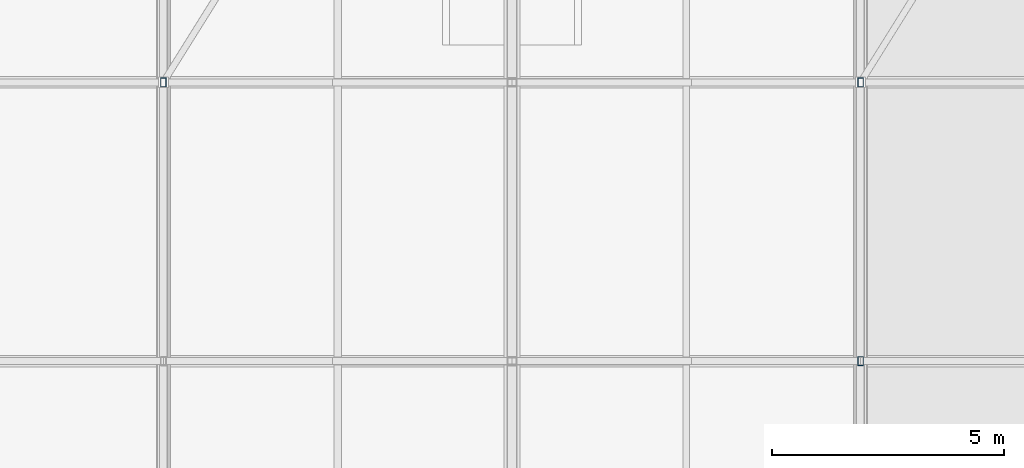
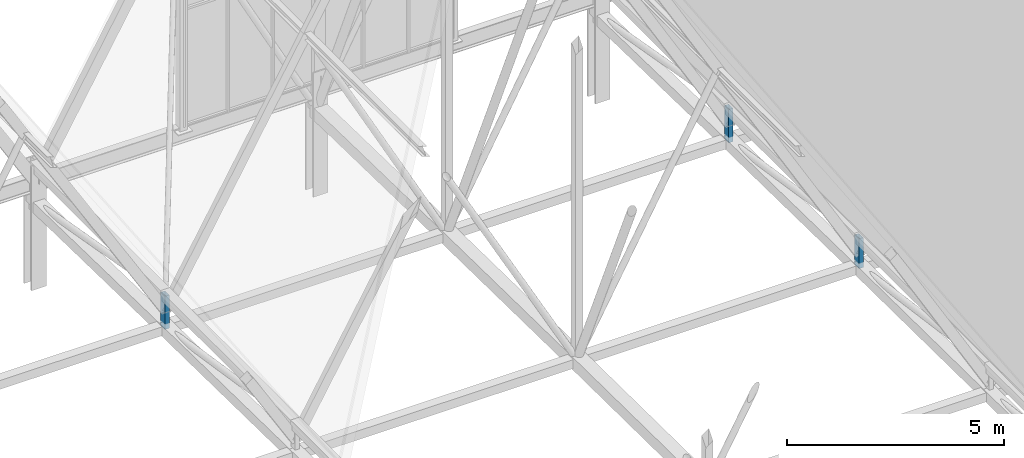
# One storey, part 255 of 324: 3 members.
"""IFC4 building model written with IfcOpenShell, lengths in metres."""

from ifc_helpers import new_model, si_unit, direction, frame, origin, origin_2d, place, context, subcontext, project, spatial, hollow_rectangle, extrude, material, material_profile, profile_set, type_object, element, save


model = new_model("IFC4")

# Units and contexts
model_context = context("Model", 3, precision=1e-05, world=origin(), true_north=direction((0.0, 1.0)))
body_context = subcontext(model_context, "Body", "Model", "MODEL_VIEW")
ifc_project = project(units=[si_unit("LENGTHUNIT", "METRE"), si_unit("AREAUNIT", "SQUARE_METRE"), si_unit("VOLUMEUNIT", "CUBIC_METRE"), si_unit("PLANEANGLEUNIT", "RADIAN"), si_unit("MASSUNIT", "GRAM", prefix="KILO")], contexts=[model_context])

# Site, building, storey
site_placement = place(None, origin())
site = spatial("IfcSite", under=ifc_project, at=site_placement, CompositionType="ELEMENT")
building_placement = place(site_placement, origin())
building = spatial("IfcBuilding", under=site, at=building_placement, Name="Solvenia Promenade Tram Depot", CompositionType="ELEMENT")
storey_placement = place(building_placement, frame((0.0, 0.0, 4.5)))
storey = spatial("IfcBuildingStorey", under=building, at=storey_placement, Name="L01", CompositionType="ELEMENT", Elevation=4.5)

# Members
ifc_material = material(Name="Structural steel ASTM A500 Gr. C", Category="steel")
ifc_material_profile = material_profile(ifc_material, hollow_rectangle(XDim=0.1201171875, YDim=0.199951171875, WallThickness=0.008056640625, at=origin_2d()), Name="HSS200x120x8", Category="steel")
ifc_profile_set = profile_set([ifc_material_profile], Name="Structural steel ASTM A500 Gr. C")
member_type = type_object("IfcMemberType", Name="Post-HSS200x120x8", PredefinedType="POST", material=ifc_profile_set)
member_1_placement = place(storey_placement, frame((45.0, 120.0, 2.446044921875), z_axis=(0.0, 0.0, 1.0), x_axis=(1.0, 0.0, 0.0)))
element("IfcMember", 1, at=member_1_placement, inside=storey, type_object=member_type, Name="Arched Truss T07 Web Post S09", PredefinedType="POST", context=body_context, shape_type="SweptSolid", body=[
    extrude(hollow_rectangle(XDim=0.1201171875, YDim=0.199951171875, WallThickness=0.008056640625, at=origin_2d()), origin(), (0.0, 0.0, 1.0), 0.933837890625),
])
member_2_placement = place(storey_placement, frame((60.0, 114.0, 2.5439453125), z_axis=(0.0, 0.0, 1.0), x_axis=(1.0, 0.0, 0.0)))
element("IfcMember", 2, at=member_2_placement, inside=storey, type_object=member_type, Name="Arched Truss T09 Web Post S08", PredefinedType="POST", context=body_context, shape_type="SweptSolid", body=[
    extrude(hollow_rectangle(XDim=0.1201171875, YDim=0.199951171875, WallThickness=0.008056640625, at=origin_2d()), origin(), (0.0, 0.0, 1.0), 0.8359375),
])
member_3_placement = place(storey_placement, frame((60.0, 120.0, 2.446044921875), z_axis=(0.0, 0.0, 1.0), x_axis=(1.0, 0.0, 0.0)))
element("IfcMember", 3, at=member_3_placement, inside=storey, type_object=member_type, Name="Arched Truss T09 Web Post S09", PredefinedType="POST", context=body_context, shape_type="SweptSolid", body=[
    extrude(hollow_rectangle(XDim=0.1201171875, YDim=0.199951171875, WallThickness=0.008056640625, at=origin_2d()), origin(), (0.0, 0.0, 1.0), 0.933837890625),
])

save(model, "model.ifc")
